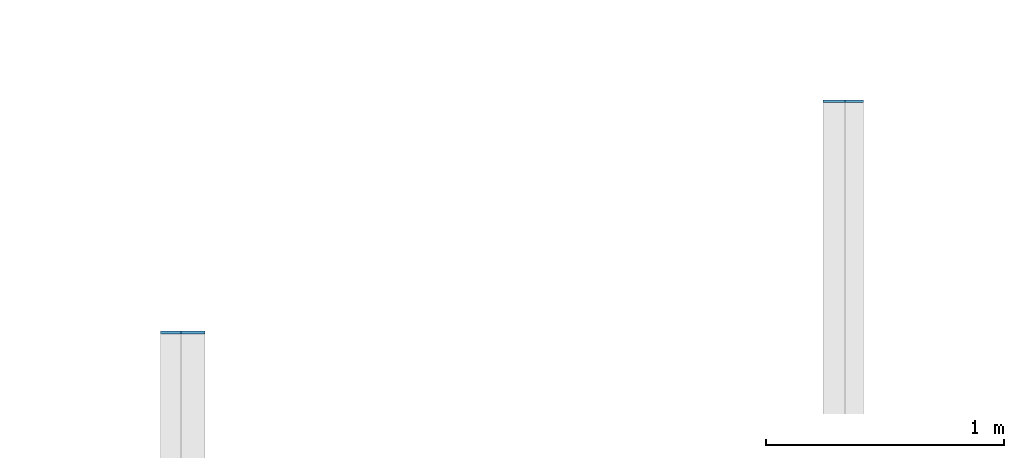
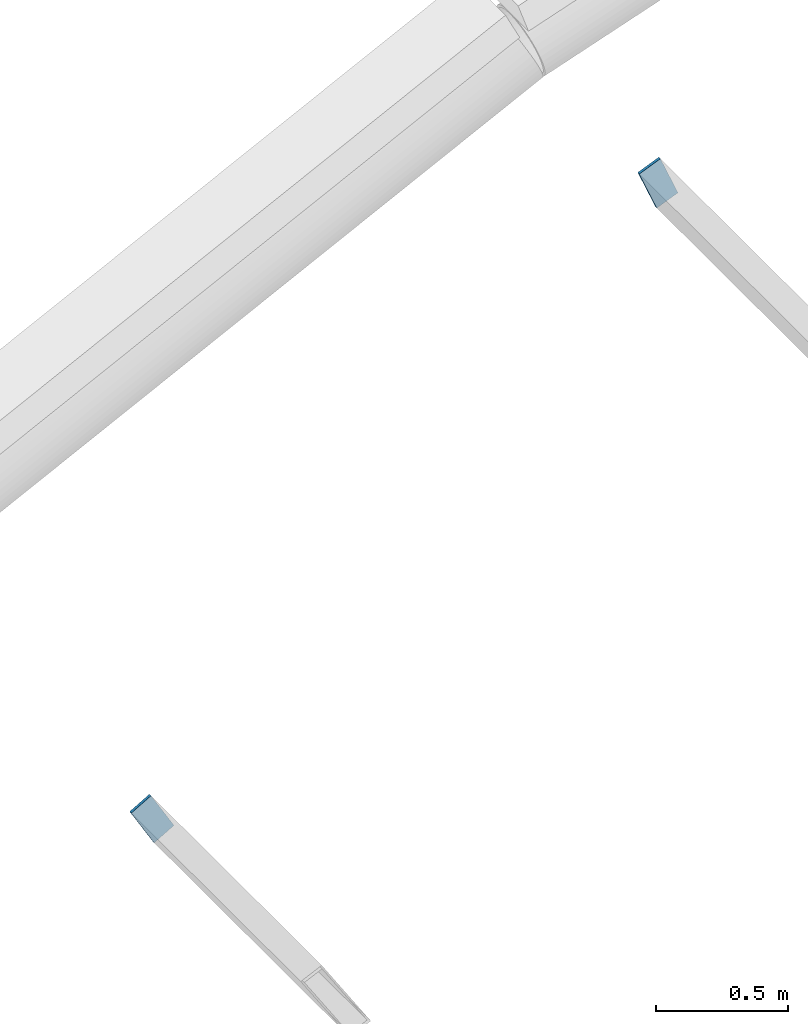
# One storey, part 179 of 196: 2 discrete accessories.
"""IFC4 building model written with IfcOpenShell, lengths in metres."""

from ifc_helpers import new_model, si_unit, direction, frame, origin, origin_2d, place, context, subcontext, project, spatial, rectangle, extrude, material, layer, layer_set, type_object, element, save


model = new_model("IFC4")

# Units and contexts
model_context = context("Model", 3, precision=1e-05, world=origin(), true_north=direction((0.0, 1.0)))
body_context = subcontext(model_context, "Body", "Model", "MODEL_VIEW")
ifc_project = project(units=[si_unit("LENGTHUNIT", "METRE"), si_unit("AREAUNIT", "SQUARE_METRE"), si_unit("VOLUMEUNIT", "CUBIC_METRE"), si_unit("PLANEANGLEUNIT", "RADIAN"), si_unit("MASSUNIT", "GRAM", prefix="KILO")], contexts=[model_context])

# Site, building, storey
site_placement = place(None, origin())
site = spatial("IfcSite", under=ifc_project, at=site_placement, CompositionType="ELEMENT")
building_placement = place(site_placement, origin())
building = spatial("IfcBuilding", under=site, at=building_placement, Name="Okhra Congress Centre", CompositionType="ELEMENT")
storey_placement = place(building_placement, frame((0.0, 0.0, 12.0)))
storey = spatial("IfcBuildingStorey", under=building, at=storey_placement, Name="L02", CompositionType="ELEMENT", Elevation=12.0)

# Discrete accessories
ifc_material = material(Name="Steel S355J2", Category="steel")
ifc_layer = layer(ifc_material, 0.011962890625)
ifc_layer_set = layer_set([ifc_layer], Name="Hollow section end cap 12 mm S355")
discrete_accessory_type = type_object("IfcDiscreteAccessoryType", Name="Hollow section end cap 12 mm S355", PredefinedType="BRACKET", material=ifc_layer_set)
for number, where, z_axis, x_axis, name in (
    (1, (160.406982421875, 213.58251953125, 0.77490234375), (0.0, 1.0, 0.0), (-0.86391685861, 0.0, -0.503634452167), "Hollow section end cap"),
    (2, (163.1826171875, 214.553955078125, 2.156494140625), (0.0, 1.0, 0.0), (-0.922668973833, 0.0, -0.38559300399), "Hollow section end cap"),
):
    element("IfcDiscreteAccessory", number, at=place(storey_placement, frame(where, z_axis=z_axis, x_axis=x_axis)), inside=storey, type_object=discrete_accessory_type, Name=name, PredefinedType="BRACKET", context=body_context, shape_type="SweptSolid", body=[
        extrude(rectangle(XDim=0.10009765625, YDim=0.199951171875, at=origin_2d()), origin(), (0.0, 0.0, 1.0), 0.011962890625),
    ])

save(model, "model.ifc")
